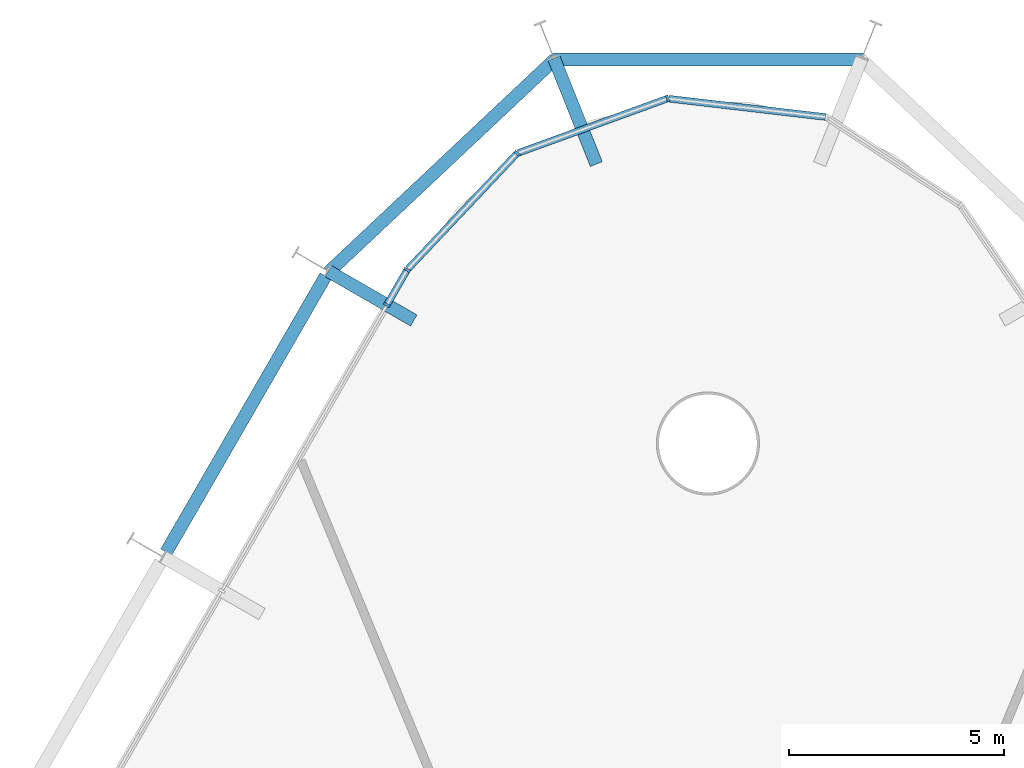
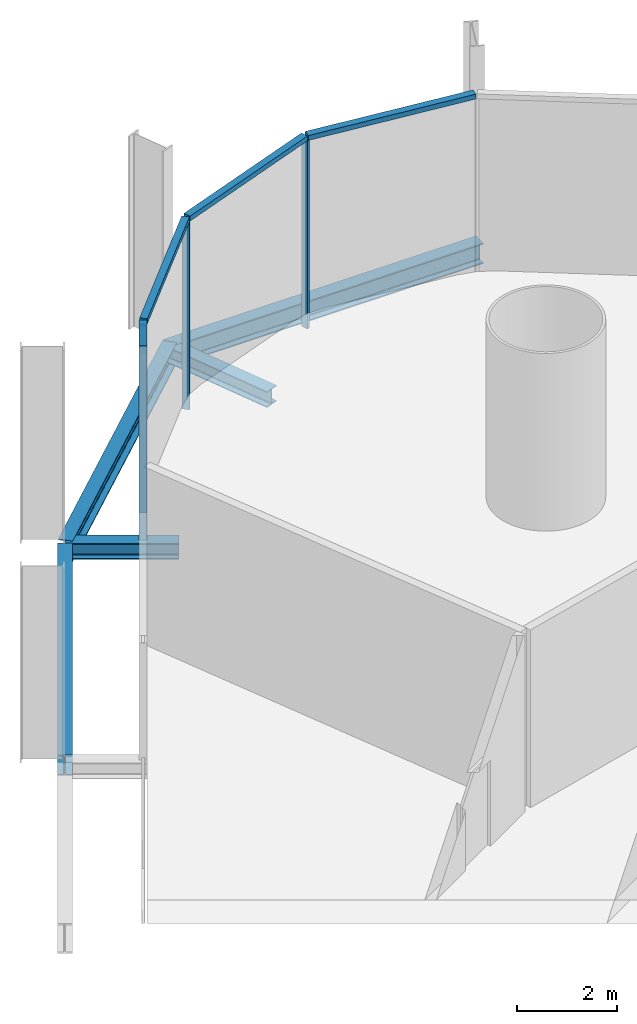
# One storey, part 9 of 17: 8 members, 5 beams, 2 elements without a shape of their own.
"""IFC4 building model written with IfcOpenShell, lengths in metres."""

from ifc_helpers import new_model, si_unit, direction, frame, origin, origin_2d, place, context, subcontext, project, spatial, rectangle, i_section, extrude, material, layer, layer_set, material_profile, profile_set, type_object, element, aggregate, save


model = new_model("IFC4")

# Units and contexts
model_context = context("Model", 3, precision=1e-05, world=origin(), true_north=direction((0.0, 1.0)))
body_context = subcontext(model_context, "Body", "Model", "MODEL_VIEW")
ifc_project = project(units=[si_unit("LENGTHUNIT", "METRE"), si_unit("AREAUNIT", "SQUARE_METRE"), si_unit("VOLUMEUNIT", "CUBIC_METRE"), si_unit("PLANEANGLEUNIT", "RADIAN"), si_unit("MASSUNIT", "GRAM", prefix="KILO")], contexts=[model_context])

# Site, building, storey
site_placement = place(None, origin())
site = spatial("IfcSite", under=ifc_project, at=site_placement, CompositionType="ELEMENT")
building_placement = place(site_placement, origin())
building = spatial("IfcBuilding", under=site, at=building_placement, Name="Spindle Arch Residences", CompositionType="ELEMENT")
storey_placement = place(building_placement, frame((0.0, 0.0, 28.199951171875)))
storey = spatial("IfcBuildingStorey", under=building, at=storey_placement, Name="L05", CompositionType="ELEMENT", Elevation=28.199951171875)

# Curtain wall, members
ifc_material_1 = material(Name="Aluminium bronze unitised frame with tinted glass", Category="aluminium")
ifc_layer_1 = layer(ifc_material_1, 0.159912109375)
ifc_layer_set_1 = layer_set([ifc_layer_1], Name="CW-D corner wall on the fillet arcs")
curtain_wall_type_1 = type_object("IfcCurtainWallType", Name="CW-D corner wall on the fillet arcs", PredefinedType="NOTDEFINED", material=ifc_layer_set_1)
curtain_wall_1_placement = place(storey_placement, origin())
curtain_wall_1 = element("IfcCurtainWall", 1, at=curtain_wall_1_placement, inside=storey, type_object=curtain_wall_type_1, Name="CW-D L05 run 3", PredefinedType="NOTDEFINED")
ifc_material_2 = material(Name="Aluminium bronze anodised mullion", Category="aluminium")
ifc_material_profile_1 = material_profile(ifc_material_2, rectangle(XDim=0.159912109375, YDim=0.06005859375, at=origin_2d()), Name="MU 60x160")
ifc_profile_set_1 = profile_set([ifc_material_profile_1], Name="Aluminium bronze anodised mullion")
member_type_1 = type_object("IfcMemberType", Name="Bronze mullion 60x160", PredefinedType="MULLION", material=ifc_profile_set_1)
member_1_placement = place(storey_placement, frame((-0.93798828125, 31.28515625, -0.3798828125), z_axis=(0.0, 0.0, 1.0), x_axis=(0.342020141538, -0.939692621437, 0.0)))
member_1 = element("IfcMember", 2, at=member_1_placement, type_object=member_type_1, Name="CW-D mullion 03", PredefinedType="MULLION", context=body_context, shape_type="SweptSolid", body=[
    extrude(rectangle(XDim=0.159912109375, YDim=0.06005859375, at=origin_2d()), origin(), (0.0, 0.0, 1.0), 4.60986328125),
])
member_2_placement = place(storey_placement, frame((-4.43994140625, 30.010498046875, -0.3798828125), z_axis=(0.0, 0.0, 1.0), x_axis=(0.727373640284, -0.686241639236, 0.0)))
member_2 = element("IfcMember", 3, at=member_2_placement, type_object=member_type_1, Name="CW-D mullion 04", PredefinedType="MULLION", context=body_context, shape_type="SweptSolid", body=[
    extrude(rectangle(XDim=0.159912109375, YDim=0.06005859375, at=origin_2d()), origin(), (0.0, 0.0, 1.0), 4.60986328125),
])
member_3_placement = place(storey_placement, frame((-6.99755859375, 27.2998046875, -0.3798828125), z_axis=(0.0, 0.0, 1.0), x_axis=(0.866025403784, -0.5, 0.0)))
member_3 = element("IfcMember", 4, at=member_3_placement, type_object=member_type_1, Name="CW-D mullion 05", PredefinedType="MULLION", context=body_context, shape_type="SweptSolid", body=[
    extrude(rectangle(XDim=0.159912109375, YDim=0.06005859375, at=origin_2d()), origin(), (0.0, 0.0, 1.0), 4.60986328125),
])

# Curtain wall, member
ifc_material_3 = material(Name="Aluminium bronze unitised frame with tinted glass", Category="aluminium")
ifc_layer_2 = layer(ifc_material_3, 0.159912109375)
ifc_layer_set_2 = layer_set([ifc_layer_2], Name="CW-B amenity podium glazed wall")
curtain_wall_type_2 = type_object("IfcCurtainWallType", Name="CW-B amenity podium glazed wall", PredefinedType="NOTDEFINED", material=ifc_layer_set_2)
curtain_wall_2_placement = place(storey_placement, origin())
curtain_wall_2 = element("IfcCurtainWall", 5, at=curtain_wall_2_placement, inside=storey, type_object=curtain_wall_type_2, Name="CW-B L05 run 4", PredefinedType="NOTDEFINED")
member_4_placement = place(storey_placement, frame((-7.46923828125, 26.48291015625, -0.3798828125), z_axis=(0.0, 0.0, 1.0), x_axis=(0.866025403784, -0.5, 0.0)))
member_4 = element("IfcMember", 6, at=member_4_placement, type_object=member_type_1, Name="CW-B mullion 13", PredefinedType="MULLION", context=body_context, shape_type="SweptSolid", body=[
    extrude(rectangle(XDim=0.159912109375, YDim=0.06005859375, at=origin_2d()), origin(), (0.0, 0.0, 1.0), 4.60986328125),
])
aggregate(curtain_wall_2, [member_4])

# Member
ifc_material_4 = material(Name="Aluminium bronze anodised transom", Category="aluminium")
ifc_material_profile_2 = material_profile(ifc_material_4, rectangle(XDim=0.159912109375, YDim=0.1201171875, at=origin_2d()), Name="TR 120x160")
ifc_profile_set_2 = profile_set([ifc_material_profile_2], Name="Aluminium bronze anodised transom")
member_type_2 = type_object("IfcMemberType", Name="Bronze transom 120x160", PredefinedType="USERDEFINED", material=ifc_profile_set_2)
member_5_placement = place(storey_placement, frame((2.733642578125, 30.85595703125, 4.2900390625), z_axis=(-0.993234881174, 0.116122654204, 0.0), x_axis=(-0.116122654204, -0.993234881174, 0.0)))
member_5 = element("IfcMember", 7, at=member_5_placement, type_object=member_type_2, Name="CW-D transom 02", ObjectType="TRANSOM", PredefinedType="USERDEFINED", context=body_context, shape_type="SweptSolid", body=[
    extrude(rectangle(XDim=0.159912109375, YDim=0.1201171875, at=origin_2d()), origin(), (0.0, 0.0, 1.0), 3.666748046875),
])

member_6_placement = place(storey_placement, frame((-0.96630859375, 31.27490234375, 4.2900390625), z_axis=(-0.939686455819, -0.342037080957, 0.0), x_axis=(0.342037080957, -0.939686455819, 0.0)))
member_6 = element("IfcMember", 8, at=member_6_placement, type_object=member_type_2, Name="CW-D transom 03", ObjectType="TRANSOM", PredefinedType="USERDEFINED", context=body_context, shape_type="SweptSolid", body=[
    extrude(rectangle(XDim=0.159912109375, YDim=0.1201171875, at=origin_2d()), origin(), (0.0, 0.0, 1.0), 3.666748046875),
])

member_7_placement = place(storey_placement, frame((-4.460693359375, 29.98876953125, 4.2900390625), z_axis=(-0.686199156324, -0.727413718498, 0.0), x_axis=(0.727413718498, -0.686199156324, 0.0)))
member_7 = element("IfcMember", 9, at=member_7_placement, type_object=member_type_2, Name="CW-D transom 04", ObjectType="TRANSOM", PredefinedType="USERDEFINED", context=body_context, shape_type="SweptSolid", body=[
    extrude(rectangle(XDim=0.159912109375, YDim=0.1201171875, at=origin_2d()), origin(), (0.0, 0.0, 1.0), 3.666748046875),
])

member_8_placement = place(storey_placement, frame((-7.012451171875, 27.27392578125, 4.2900390625), z_axis=(-0.499913830031, -0.866075148324, 0.0), x_axis=(0.866075148324, -0.499913830031, 0.0)))
member_8 = element("IfcMember", 10, at=member_8_placement, type_object=member_type_2, Name="CW-D transom 05", ObjectType="TRANSOM", PredefinedType="USERDEFINED", context=body_context, shape_type="SweptSolid", body=[
    extrude(rectangle(XDim=0.159912109375, YDim=0.1201171875, at=origin_2d()), origin(), (0.0, 0.0, 1.0), 0.883544921875),
])

aggregate(curtain_wall_1, [member_5, member_1, member_6, member_2, member_7, member_3, member_8])

# Beams
ifc_material_5 = material(Name="Steel S460ML, intumescent coating R 120", Category="steel")
ifc_material_profile_3 = material_profile(ifc_material_5, i_section(OverallWidth=0.300048828125, OverallDepth=0.5, WebThickness=0.014404296875, FlangeThickness=0.028076171875, FilletRadius=0.027099609375, at=origin_2d()), Name="HEB 500")
ifc_profile_set_3 = profile_set([ifc_material_profile_3], Name="Steel S460ML, intumescent coating R 120")
beam_type_1 = type_object("IfcBeamType", Name="Exoskeleton edge beam HEB 500", PredefinedType="BEAM", material=ifc_profile_set_3)
beam_1_placement = place(storey_placement, frame((3.6181640625, 32.188720703125, -0.6298828125), z_axis=(-1.0, 0.0, 0.0), x_axis=(0.0, -1.0, 0.0)))
element("IfcBeam", 11, at=beam_1_placement, inside=storey, type_object=beam_type_1, Name="Exoskeleton edge beam 12", PredefinedType="BEAM", context=body_context, shape_type="SweptSolid", body=[
    extrude(i_section(OverallWidth=0.300048828125, OverallDepth=0.5, WebThickness=0.014404296875, FlangeThickness=0.028076171875, FilletRadius=0.027099609375, at=origin_2d()), origin(), (0.0, 0.0, 1.0), 7.236328125),
])
beam_2_placement = place(storey_placement, frame((-3.54833984375, 32.20947265625, -0.6298828125), z_axis=(-0.728377909202, -0.685175613538, 0.0), x_axis=(0.685175613538, -0.728377909202, 0.0)))
element("IfcBeam", 12, at=beam_2_placement, inside=storey, type_object=beam_type_1, Name="Exoskeleton edge beam 13", PredefinedType="BEAM", context=body_context, shape_type="SweptSolid", body=[
    extrude(i_section(OverallWidth=0.300048828125, OverallDepth=0.5, WebThickness=0.014404296875, FlangeThickness=0.028076171875, FilletRadius=0.027099609375, at=origin_2d()), origin(), (0.0, 0.0, 1.0), 7.250244140625),
])
beam_3_placement = place(storey_placement, frame((-8.893798828125, 27.1552734375, -0.6298828125), z_axis=(-0.5000139068, -0.866017374541, 0.0), x_axis=(0.866017374541, -0.5000139068, 0.0)))
element("IfcBeam", 13, at=beam_3_placement, inside=storey, type_object=beam_type_1, Name="Exoskeleton edge beam 14", PredefinedType="BEAM", context=body_context, shape_type="SweptSolid", body=[
    extrude(i_section(OverallWidth=0.300048828125, OverallDepth=0.5, WebThickness=0.014404296875, FlangeThickness=0.028076171875, FilletRadius=0.027099609375, at=origin_2d()), origin(), (0.0, 0.0, 1.0), 7.420166015625),
])
ifc_material_6 = material(Name="Steel S460ML, intumescent coating R 120", Category="steel")
ifc_material_profile_4 = material_profile(ifc_material_6, i_section(OverallWidth=0.300048828125, OverallDepth=0.389892578125, WebThickness=0.010986328125, FlangeThickness=0.01904296875, FilletRadius=0.027099609375, at=origin_2d()), Name="HEA 400")
ifc_profile_set_4 = profile_set([ifc_material_profile_4], Name="Steel S460ML, intumescent coating R 120")
beam_type_2 = type_object("IfcBeamType", Name="Floor outrigger HEA 400", PredefinedType="BEAM", material=ifc_profile_set_4)
beam_4_placement = place(storey_placement, frame((-3.581298828125, 32.220703125, -0.574951171875), z_axis=(0.371104734129, -0.928591016706, 0.0), x_axis=(0.928591016706, 0.371104734129, 0.0)))
element("IfcBeam", 14, at=beam_4_placement, inside=storey, type_object=beam_type_2, Name="Floor outrigger 13", PredefinedType="BEAM", context=body_context, shape_type="SweptSolid", body=[
    extrude(i_section(OverallWidth=0.300048828125, OverallDepth=0.389892578125, WebThickness=0.010986328125, FlangeThickness=0.01904296875, FilletRadius=0.027099609375, at=origin_2d()), origin(), (0.0, 0.0, 1.0), 2.64990234375),
])
beam_5_placement = place(storey_placement, frame((-8.828857421875, 27.267822265625, -0.574951171875), z_axis=(0.866020755578, -0.500008050843, 0.0), x_axis=(0.500008050843, 0.866020755578, 0.0)))
element("IfcBeam", 15, at=beam_5_placement, inside=storey, type_object=beam_type_2, Name="Floor outrigger 14", PredefinedType="BEAM", context=body_context, shape_type="SweptSolid", body=[
    extrude(i_section(OverallWidth=0.300048828125, OverallDepth=0.389892578125, WebThickness=0.010986328125, FlangeThickness=0.01904296875, FilletRadius=0.027099609375, at=origin_2d()), origin(), (0.0, 0.0, 1.0), 2.2939453125),
])

save(model, "model.ifc")
